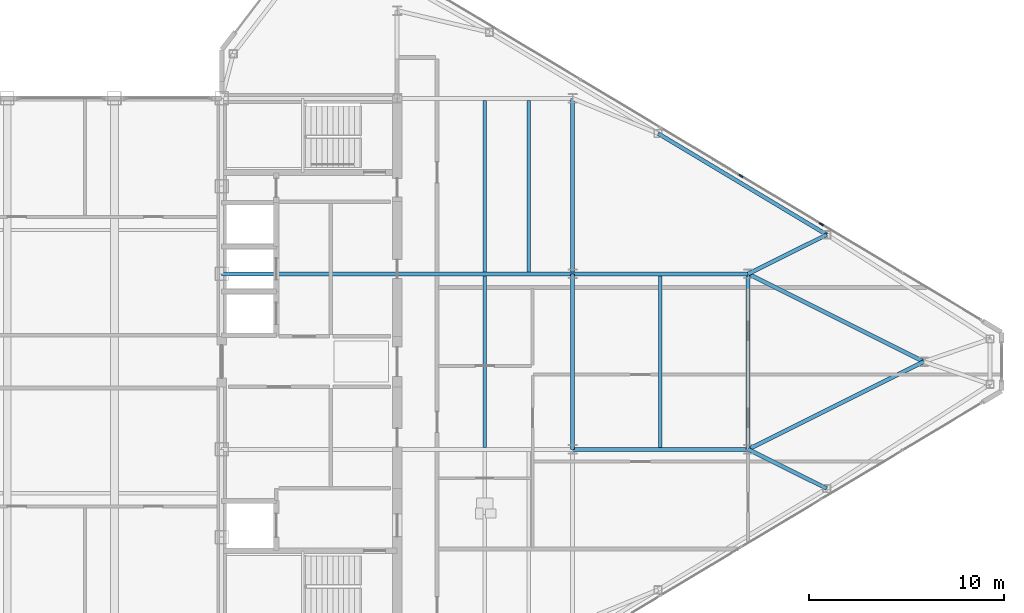
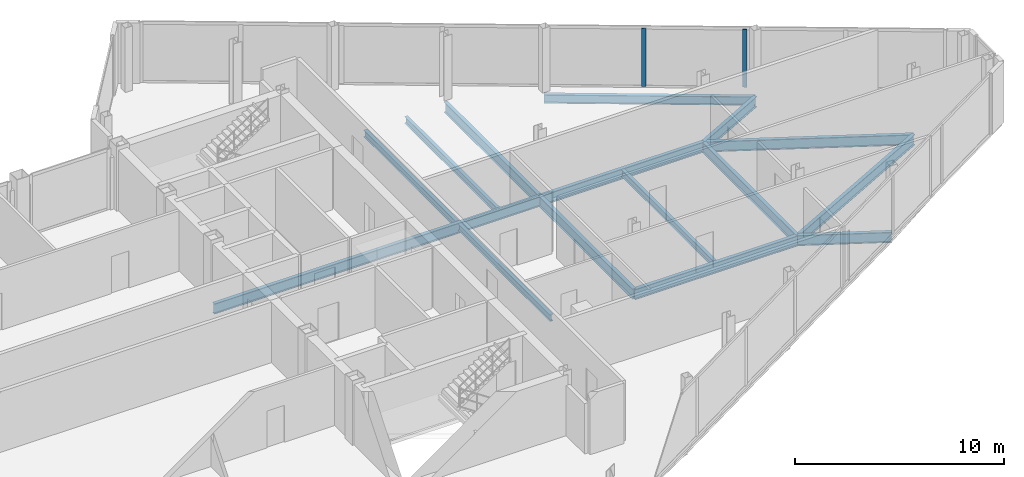
# One storey, part 15 of 28: 16 beams, 2 members, 1 element without a shape of its own.
"""IFC4 building model written with IfcOpenShell, lengths in metres."""

from ifc_helpers import new_model, si_unit, direction, frame, origin, origin_2d, place, context, subcontext, project, spatial, rectangle, i_section, extrude, source, transform, mapped, material, layer, layer_set, material_profile, profile_set, type_object, type_shapes, element, aggregate, save


model = new_model("IFC4")

# Units and contexts
model_context = context("Model", 3, precision=1e-05, world=origin(), true_north=direction((0.0, 1.0)))
body_context = subcontext(model_context, "Body", "Model", "MODEL_VIEW")
ifc_project = project(units=[si_unit("LENGTHUNIT", "METRE"), si_unit("AREAUNIT", "SQUARE_METRE"), si_unit("VOLUMEUNIT", "CUBIC_METRE"), si_unit("PLANEANGLEUNIT", "RADIAN"), si_unit("MASSUNIT", "GRAM", prefix="KILO")], contexts=[model_context])

# Site, building, storey
site_placement = place(None, origin())
site = spatial("IfcSite", under=ifc_project, at=site_placement, CompositionType="ELEMENT")
building_placement = place(site_placement, origin())
building = spatial("IfcBuilding", under=site, at=building_placement, Name="Seokmaru Belvedere", CompositionType="ELEMENT")
storey_placement = place(building_placement, frame((0.0, 0.0, 261.89990234375)))
storey = spatial("IfcBuildingStorey", under=building, at=storey_placement, Name="L69", CompositionType="ELEMENT", Elevation=261.89990234375)

# Beams
ifc_material_1 = material(Name="Steel SM355 (355 MPa)", Category="steel")
ifc_material_profile_1 = material_profile(ifc_material_1, i_section(OverallWidth=0.199951171875, OverallDepth=0.60009765625, WebThickness=0.010986328125, FlangeThickness=0.01708984375, at=origin_2d()), Name="H-600x200x11x17")
ifc_profile_set_1 = profile_set([ifc_material_profile_1], Name="Steel SM355 (355 MPa)")
beam_type_1 = type_object("IfcBeamType", Name="Primary Floor Girder H-600", PredefinedType="BEAM", material=ifc_profile_set_1)
shared_shape_1 = source(origin(), body_context, "Body", "SweptSolid", [
    extrude(i_section(OverallWidth=0.199951171875, OverallDepth=0.60009765625, WebThickness=0.010986328125, FlangeThickness=0.01708984375, at=origin_2d()), origin(), (0.0, 0.0, 1.0), 9.0),
])
for number, where, z_axis, x_axis, name in (
    (1, (45.5, -4.5, -0.52001953125), (0.0, 1.0, 0.0), (-1.0, 0.0, 0.0), "L69 E Interior Grid Girder 2"),
    (2, (45.5, 4.5, -0.52001953125), (0.0, 1.0, 0.0), (-1.0, 0.0, 0.0), "L69 E Interior Grid Girder 3"),
    (3, (27.5, 4.5, -0.52001953125), (1.0, 0.0, 0.0), (0.0, 1.0, 0.0), "L69 E Core Tie Girder 3"),
    (4, (36.5, 4.5, -0.52001953125), (1.0, 0.0, 0.0), (0.0, 1.0, 0.0), "L69 E Wing Primary Girder 3"),
    (5, (45.5, -4.5, -0.52001953125), (1.0, 0.0, 0.0), (0.0, 1.0, 0.0), "L69 E Outer Wing Girder 1"),
    (6, (45.5, 4.5, -0.52001953125), (1.0, 0.0, 0.0), (0.0, 1.0, 0.0), "L69 E Outer Wing Girder 2"),
    (7, (54.5, -4.5, -0.52001953125), (0.0, 1.0, 0.0), (-1.0, 0.0, 0.0), "L69 E Apex Frame Girder"),
):
    element("IfcBeam", number, at=place(storey_placement, frame(where, z_axis=z_axis, x_axis=x_axis)), inside=storey, type_object=beam_type_1, Name=name, PredefinedType="BEAM", context=body_context, shape_type="MappedRepresentation", body=[
        mapped(shared_shape_1, transform((0.0, 0.0, 0.0), scale=1.0)),
    ])
shared_shape_2 = source(origin(), body_context, "Body", "SweptSolid", [
    extrude(i_section(OverallWidth=0.199951171875, OverallDepth=0.60009765625, WebThickness=0.010986328125, FlangeThickness=0.01708984375, at=origin_2d()), origin(), (0.0, 0.0, 1.0), 10.062255859375),
])
for number, where, z_axis, x_axis, name in (
    (8, (54.5, -4.5, -0.52001953125), (0.894427191, 0.4472135955, 0.0), (-0.4472135955, 0.894427191, 0.0), "L69 E Apex Converging Girder 1"),
    (9, (54.5, 4.5, -0.52001953125), (0.894427191, -0.4472135955, 0.0), (0.4472135955, 0.894427191, 0.0), "L69 E Apex Converging Girder 2"),
):
    element("IfcBeam", number, at=place(storey_placement, frame(where, z_axis=z_axis, x_axis=x_axis)), inside=storey, type_object=beam_type_1, Name=name, PredefinedType="BEAM", context=body_context, shape_type="MappedRepresentation", body=[
        mapped(shared_shape_2, transform((0.0, 0.0, 0.0), scale=1.0)),
    ])
ifc_material_profile_2 = material_profile(ifc_material_1, i_section(OverallWidth=0.18505859375, OverallDepth=0.389892578125, WebThickness=0.008056640625, FlangeThickness=0.011962890625, at=origin_2d()), Name="H-390x185x8x12")
ifc_profile_set_2 = profile_set([ifc_material_profile_2], Name="Steel SM355 (355 MPa)")
beam_type_2 = type_object("IfcBeamType", Name="Secondary Floor Joist H-350", PredefinedType="JOIST", material=ifc_profile_set_2)
shared_shape_3 = source(origin(), body_context, "Body", "SweptSolid", [
    extrude(i_section(OverallWidth=0.18505859375, OverallDepth=0.389892578125, WebThickness=0.008056640625, FlangeThickness=0.011962890625, at=origin_2d()), origin(), (0.0, 0.0, 1.0), 8.7900390625),
])
type_shapes(beam_type_2, [shared_shape_3])
for number, where, z_axis, x_axis, name in (
    (10, (43.25, 4.60498046875, -0.414794921875), (0.0, 1.0, 0.0), (-1.0, 0.0, 0.0), "L69 E Wing Inner Secondary Joist 2"),
    (11, (41.0, -4.39501953125, -0.414794921875), (0.0, 1.0, 0.0), (-1.0, 0.0, 0.0), "L69 E Secondary Floor Joist 2"),
    (12, (41.0, 4.60498046875, -0.414794921875), (0.0, 1.0, 0.0), (-1.0, 0.0, 0.0), "L69 E Secondary Floor Joist 3"),
    (13, (50.0, -4.39501953125, -0.414794921875), (0.0, 1.0, 0.0), (-1.0, 0.0, 0.0), "L69 E Outer Bay Secondary Joist"),
):
    element("IfcBeam", number, at=place(storey_placement, frame(where, z_axis=z_axis, x_axis=x_axis)), inside=storey, type_object=beam_type_2, Name=name, PredefinedType="JOIST", context=body_context, shape_type="MappedRepresentation", body=[
        mapped(shared_shape_3, transform((0.0, 0.0, 0.0), scale=1.0)),
    ])
ifc_material_profile_3 = material_profile(ifc_material_1, i_section(OverallWidth=0.199951171875, OverallDepth=0.5, WebThickness=0.010009765625, FlangeThickness=0.01611328125, at=origin_2d()), Name="H-500x200x10x16")
ifc_profile_set_3 = profile_set([ifc_material_profile_3], Name="Steel SM355 (355 MPa)")
beam_type_3 = type_object("IfcBeamType", Name="Perimeter Spandrel Beam H-500", PredefinedType="SPANDREL", material=ifc_profile_set_3)
shared_shape_4 = source(origin(), body_context, "Body", "SweptSolid", [
    extrude(i_section(OverallWidth=0.199951171875, OverallDepth=0.5, WebThickness=0.010009765625, FlangeThickness=0.01611328125, at=origin_2d()), origin(), (0.0, 0.0, 1.0), 10.087646484375),
])
type_shapes(beam_type_3, [shared_shape_4])
beam_placement = place(storey_placement, frame((49.8798828125, 11.698974609375, -0.469970703125), z_axis=(0.857488654804, -0.514502873542, 0.0), x_axis=(0.514502873542, 0.857488654804, 0.0)))
element("IfcBeam", 14, at=beam_placement, inside=storey, type_object=beam_type_3, Name="L69 E Faceted Flank Spandrel N-3", PredefinedType="SPANDREL", context=body_context, shape_type="MappedRepresentation", body=[
    mapped(shared_shape_4, transform((0.0, 0.0, 0.0), scale=1.0)),
])
shared_shape_5 = source(origin(), body_context, "Body", "SweptSolid", [
    extrude(i_section(OverallWidth=0.199951171875, OverallDepth=0.60009765625, WebThickness=0.010986328125, FlangeThickness=0.01708984375, at=origin_2d()), origin(), (0.0, 0.0, 1.0), 4.5029296875),
])
type_shapes(beam_type_1, [shared_shape_1, shared_shape_2, shared_shape_5])
for number, where, z_axis, x_axis, name in (
    (15, (58.530029296875, -6.5087890625, -0.52001953125), (-0.894979532585, 0.446107202648, 0.0), (-0.446107202648, -0.894979532585, 0.0), "L69 E Flank Radial Floor Girder S-3"),
    (16, (58.530029296875, 6.5087890625, -0.52001953125), (-0.894979532585, -0.446107202648, 0.0), (0.446107202648, -0.894979532585, 0.0), "L69 E Flank Radial Floor Girder N-3"),
):
    element("IfcBeam", number, at=place(storey_placement, frame(where, z_axis=z_axis, x_axis=x_axis)), inside=storey, type_object=beam_type_1, Name=name, PredefinedType="BEAM", context=body_context, shape_type="MappedRepresentation", body=[
        mapped(shared_shape_5, transform((0.0, 0.0, 0.0), scale=1.0)),
    ])

# Curtain wall, members
ifc_material_2 = material(Name="Bronze Triple Insulating Glass", Category="glass")
ifc_layer = layer(ifc_material_2, 0.219970703125)
ifc_layer_set = layer_set([ifc_layer], Name="Bronze Triple Insulating Glass")
curtain_wall_type = type_object("IfcCurtainWallType", Name="Sky-Gate Bridge Panorama Curtain Wall System CW-6", PredefinedType="NOTDEFINED", material=ifc_layer_set)
curtain_wall_placement = place(storey_placement, origin())
curtain_wall = element("IfcCurtainWall", 17, at=curtain_wall_placement, inside=storey, type_object=curtain_wall_type, Name="L69 Curtain Wall EF3", PredefinedType="NOTDEFINED")
ifc_material_3 = material(Name="Anodised Bronze Aluminium", Category="aluminium")
ifc_material_profile_4 = material_profile(ifc_material_3, rectangle(XDim=0.080078125, YDim=0.219970703125, at=origin_2d()), Name="CW-M-80x220")
ifc_profile_set_4 = profile_set([ifc_material_profile_4], Name="Anodised Bronze Aluminium")
member_type = type_object("IfcMemberType", Name="Bronze Unitised Mullion 80x220", PredefinedType="MULLION", material=ifc_profile_set_4)
shared_shape_6 = source(origin(), body_context, "Body", "SweptSolid", [
    extrude(rectangle(XDim=0.080078125, YDim=0.219970703125, at=origin_2d()), origin(), (0.0, 0.0, 1.0), 3.3798828125),
])
type_shapes(member_type, [shared_shape_6])
member_1_placement = place(storey_placement, frame((58.257080078125, 7.0458984375, 0.0751953125), z_axis=(0.0, 0.0, 1.0), x_axis=(-0.514494909364, -0.85749343335, 0.0)))
member_1 = element("IfcMember", 18, at=member_1_placement, type_object=member_type, Name="CW:L69:EF3 Mullion 3", PredefinedType="MULLION", context=body_context, shape_type="MappedRepresentation", body=[
    mapped(shared_shape_6, transform((0.0, 0.0, 0.0), scale=1.0)),
])
member_2_placement = place(storey_placement, frame((54.12841796875, 9.52294921875, 0.0751953125), z_axis=(0.0, 0.0, 1.0), x_axis=(-0.514494909364, -0.85749343335, 0.0)))
member_2 = element("IfcMember", 19, at=member_2_placement, type_object=member_type, Name="CW:L69:EF3 Mullion 4", PredefinedType="MULLION", context=body_context, shape_type="MappedRepresentation", body=[
    mapped(shared_shape_6, transform((0.0, 0.0, 0.0), scale=1.0)),
])
aggregate(curtain_wall, [member_1, member_2])

save(model, "model.ifc")
